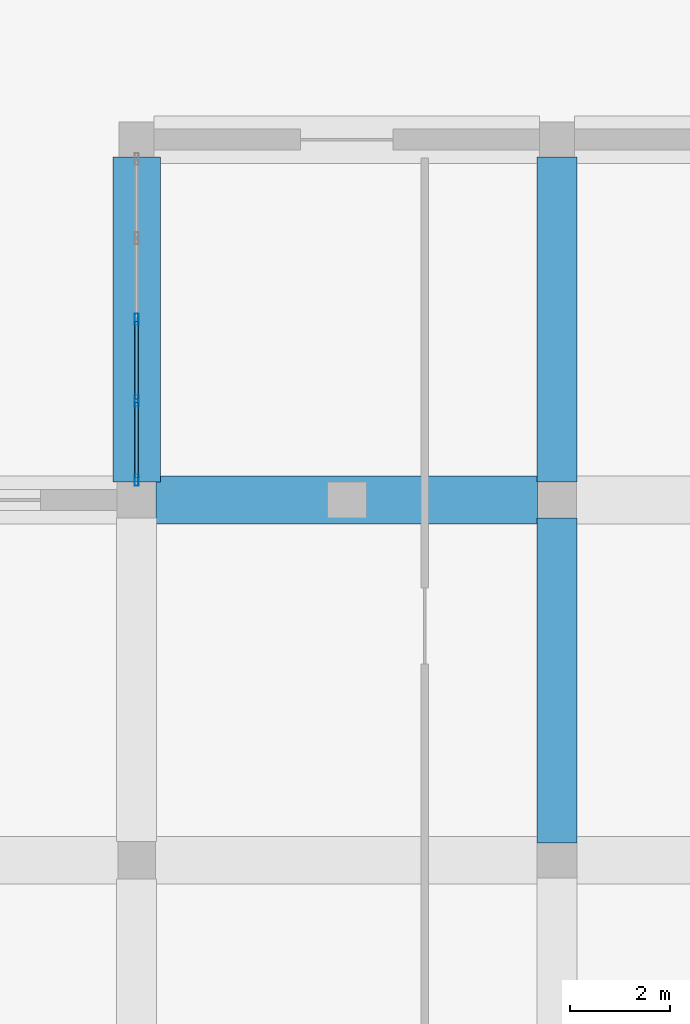
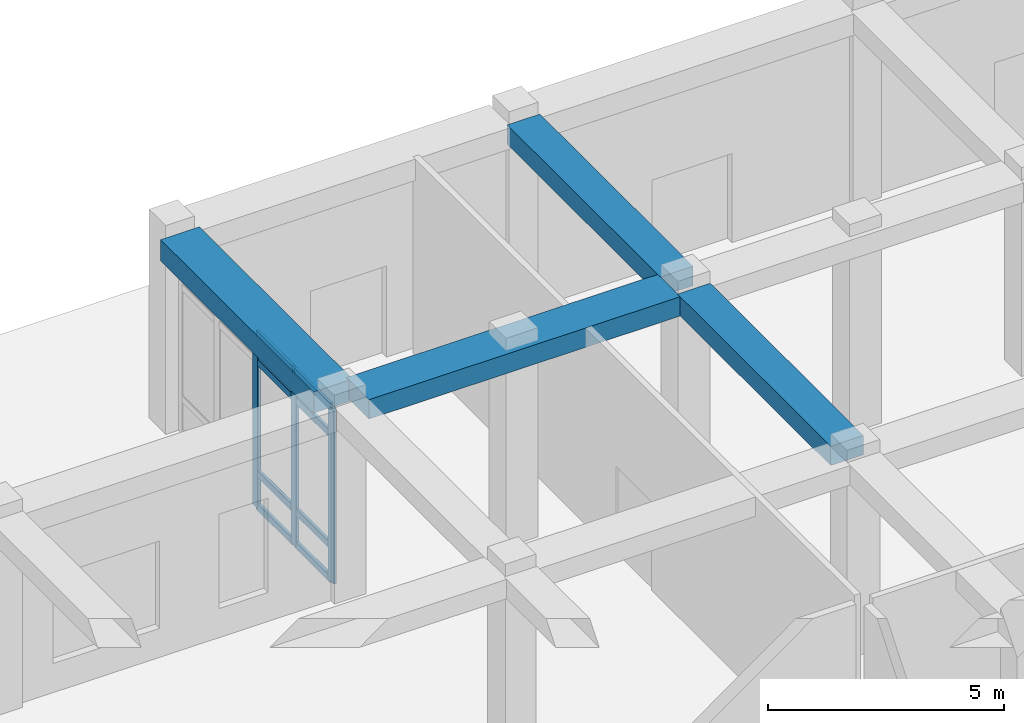
# One storey, part 34 of 84: 11 members, 4 beams, 1 element without a shape of its own.
"""IFC4 building model written with IfcOpenShell, lengths in metres."""

from ifc_helpers import new_model, si_unit, derived_unit, direction, frame, origin, origin_2d, place, context, subcontext, project, spatial, rectangle, hollow_rectangle, extrude, material, material_profile, profile_set, type_object, element, aggregate, save


model = new_model("IFC4")

# Units and contexts
model_context = context("Model", 3, precision=1e-05, world=origin(), true_north=direction((0.0, 1.0)))
body_context = subcontext(model_context, "Body", "Model", "MODEL_VIEW")
ifc_project = project(units=[si_unit("LENGTHUNIT", "METRE"), si_unit("AREAUNIT", "SQUARE_METRE"), si_unit("VOLUMEUNIT", "CUBIC_METRE"), si_unit("PLANEANGLEUNIT", "RADIAN"), si_unit("MASSUNIT", "GRAM", prefix="KILO"), derived_unit("THERMALTRANSMITTANCEUNIT", [(si_unit("POWERUNIT", "WATT"), 1), (si_unit("LENGTHUNIT", "METRE"), -2), (si_unit("THERMODYNAMICTEMPERATUREUNIT", "KELVIN"), -1)])], contexts=[model_context])

# Site, building, storey
site_placement = place(None, origin())
site = spatial("IfcSite", under=ifc_project, at=site_placement, CompositionType="ELEMENT")
building_placement = place(site_placement, origin())
building = spatial("IfcBuilding", under=site, at=building_placement, Name="Veybourne Emporium", CompositionType="ELEMENT")
storey_placement = place(building_placement, origin())
storey = spatial("IfcBuildingStorey", under=building, at=storey_placement, Name="L00", CompositionType="ELEMENT", Elevation=0.0)

# Curtain wall, members
ifc_material_1 = material(Name="Patinated Architectural Bronze", Category="bronze")
curtain_wall_type = type_object("IfcCurtainWallType", Name="CWSystem_CWS-03", PredefinedType="NOTDEFINED", material=ifc_material_1)
curtain_wall_placement = place(storey_placement, origin())
curtain_wall = element("IfcCurtainWall", 1, at=curtain_wall_placement, inside=storey, type_object=curtain_wall_type, Name="L00 bronze glazed curtain wall CWS-03 (030)", PredefinedType="NOTDEFINED")
ifc_material_profile_1 = material_profile(ifc_material_1, hollow_rectangle(XDim=0.077880859375, YDim=0.235107421875, WallThickness=0.0048828125, InnerFilletRadius=0.007568359375, OuterFilletRadius=0.012451171875, at=origin_2d()), Name="CWM 78x235x5")
ifc_profile_set_1 = profile_set([ifc_material_profile_1], Name="Patinated Architectural Bronze")
member_type_1 = type_object("IfcMemberType", Name="CWMullion_CW-M3", PredefinedType="MULLION", material=ifc_profile_set_1)
member_1_placement = place(storey_placement, frame((50.39990234375, 108.39892578125, 0.0), z_axis=(0.0, 0.0, 1.0), x_axis=(-1.0, 0.0, 0.0)))
member_1 = element("IfcMember", 2, at=member_1_placement, type_object=member_type_1, Name="CWS-03 mullion 1", PredefinedType="MULLION", context=body_context, shape_type="SweptSolid", body=[
    extrude(hollow_rectangle(XDim=0.077880859375, YDim=0.235107421875, WallThickness=0.0048828125, InnerFilletRadius=0.007568359375, OuterFilletRadius=0.012451171875, at=origin_2d()), origin(), (0.0, 0.0, 1.0), 4.530029296875),
])
member_2_placement = place(storey_placement, frame((50.39990234375, 109.982421875, 0.0), z_axis=(0.0, 0.0, 1.0), x_axis=(-1.0, 0.0, 0.0)))
member_2 = element("IfcMember", 3, at=member_2_placement, type_object=member_type_1, Name="CWS-03 mullion 2", PredefinedType="MULLION", context=body_context, shape_type="SweptSolid", body=[
    extrude(hollow_rectangle(XDim=0.077880859375, YDim=0.235107421875, WallThickness=0.0048828125, InnerFilletRadius=0.007568359375, OuterFilletRadius=0.012451171875, at=origin_2d()), origin(), (0.0, 0.0, 1.0), 4.530029296875),
])
member_3_placement = place(storey_placement, frame((50.39990234375, 111.60498046875, 0.0), z_axis=(0.0, 0.0, 1.0), x_axis=(-1.0, 0.0, 0.0)))
member_3 = element("IfcMember", 4, at=member_3_placement, type_object=member_type_1, Name="CWS-03 mullion 3", PredefinedType="MULLION", context=body_context, shape_type="SweptSolid", body=[
    extrude(hollow_rectangle(XDim=0.077880859375, YDim=0.235107421875, WallThickness=0.0048828125, InnerFilletRadius=0.007568359375, OuterFilletRadius=0.012451171875, at=origin_2d()), origin(), (0.0, 0.0, 1.0), 4.530029296875),
])
ifc_material_profile_2 = material_profile(ifc_material_1, hollow_rectangle(XDim=0.077880859375, YDim=0.18505859375, WallThickness=0.0048828125, InnerFilletRadius=0.007568359375, OuterFilletRadius=0.012451171875, at=origin_2d()), Name="CWT 78x185x5")
ifc_profile_set_2 = profile_set([ifc_material_profile_2], Name="Patinated Architectural Bronze")
member_type_2 = type_object("IfcMemberType", Name="CWTransom_CW-T3", PredefinedType="NOTDEFINED", material=ifc_profile_set_2)
member_4_placement = place(storey_placement, frame((50.39990234375, 108.43798828125, 0.0390625), z_axis=(0.0, 1.0, 0.0), x_axis=(-1.0, 0.0, 0.0)))
member_4 = element("IfcMember", 5, at=member_4_placement, type_object=member_type_2, Name="CWS-03 transom 1.1", ObjectType="TRANSOM", PredefinedType="USERDEFINED", context=body_context, shape_type="SweptSolid", body=[
    extrude(hollow_rectangle(XDim=0.077880859375, YDim=0.18505859375, WallThickness=0.0048828125, InnerFilletRadius=0.007568359375, OuterFilletRadius=0.012451171875, at=origin_2d()), origin(), (0.0, 0.0, 1.0), 1.505615234375),
])
member_5_placement = place(storey_placement, frame((50.39990234375, 108.43798828125, 0.89990234375), z_axis=(0.0, 1.0, 0.0), x_axis=(-1.0, 0.0, 0.0)))
member_5 = element("IfcMember", 6, at=member_5_placement, type_object=member_type_2, Name="CWS-03 transom 1.2", ObjectType="TRANSOM", PredefinedType="USERDEFINED", context=body_context, shape_type="SweptSolid", body=[
    extrude(hollow_rectangle(XDim=0.077880859375, YDim=0.18505859375, WallThickness=0.0048828125, InnerFilletRadius=0.007568359375, OuterFilletRadius=0.012451171875, at=origin_2d()), origin(), (0.0, 0.0, 1.0), 1.505615234375),
])
member_6_placement = place(storey_placement, frame((50.39990234375, 108.43798828125, 3.780029296875), z_axis=(0.0, 1.0, 0.0), x_axis=(-1.0, 0.0, 0.0)))
member_6 = element("IfcMember", 7, at=member_6_placement, type_object=member_type_2, Name="CWS-03 transom 1.3", ObjectType="TRANSOM", PredefinedType="USERDEFINED", context=body_context, shape_type="SweptSolid", body=[
    extrude(hollow_rectangle(XDim=0.077880859375, YDim=0.18505859375, WallThickness=0.0048828125, InnerFilletRadius=0.007568359375, OuterFilletRadius=0.012451171875, at=origin_2d()), origin(), (0.0, 0.0, 1.0), 1.505615234375),
])
member_7_placement = place(storey_placement, frame((50.39990234375, 108.43798828125, 4.490966796875), z_axis=(0.0, 1.0, 0.0), x_axis=(-1.0, 0.0, 0.0)))
member_7 = element("IfcMember", 8, at=member_7_placement, type_object=member_type_2, Name="CWS-03 transom 1.4", ObjectType="TRANSOM", PredefinedType="USERDEFINED", context=body_context, shape_type="SweptSolid", body=[
    extrude(hollow_rectangle(XDim=0.077880859375, YDim=0.18505859375, WallThickness=0.0048828125, InnerFilletRadius=0.007568359375, OuterFilletRadius=0.012451171875, at=origin_2d()), origin(), (0.0, 0.0, 1.0), 1.505615234375),
])
member_8_placement = place(storey_placement, frame((50.39990234375, 110.021484375, 0.0390625), z_axis=(0.0, 1.0, 0.0), x_axis=(-1.0, 0.0, 0.0)))
member_8 = element("IfcMember", 9, at=member_8_placement, type_object=member_type_2, Name="CWS-03 transom 2.1", ObjectType="TRANSOM", PredefinedType="USERDEFINED", context=body_context, shape_type="SweptSolid", body=[
    extrude(hollow_rectangle(XDim=0.077880859375, YDim=0.18505859375, WallThickness=0.0048828125, InnerFilletRadius=0.007568359375, OuterFilletRadius=0.012451171875, at=origin_2d()), origin(), (0.0, 0.0, 1.0), 1.54443359375),
])
member_9_placement = place(storey_placement, frame((50.39990234375, 110.021484375, 0.89990234375), z_axis=(0.0, 1.0, 0.0), x_axis=(-1.0, 0.0, 0.0)))
member_9 = element("IfcMember", 10, at=member_9_placement, type_object=member_type_2, Name="CWS-03 transom 2.2", ObjectType="TRANSOM", PredefinedType="USERDEFINED", context=body_context, shape_type="SweptSolid", body=[
    extrude(hollow_rectangle(XDim=0.077880859375, YDim=0.18505859375, WallThickness=0.0048828125, InnerFilletRadius=0.007568359375, OuterFilletRadius=0.012451171875, at=origin_2d()), origin(), (0.0, 0.0, 1.0), 1.54443359375),
])
member_10_placement = place(storey_placement, frame((50.39990234375, 110.021484375, 3.780029296875), z_axis=(0.0, 1.0, 0.0), x_axis=(-1.0, 0.0, 0.0)))
member_10 = element("IfcMember", 11, at=member_10_placement, type_object=member_type_2, Name="CWS-03 transom 2.3", ObjectType="TRANSOM", PredefinedType="USERDEFINED", context=body_context, shape_type="SweptSolid", body=[
    extrude(hollow_rectangle(XDim=0.077880859375, YDim=0.18505859375, WallThickness=0.0048828125, InnerFilletRadius=0.007568359375, OuterFilletRadius=0.012451171875, at=origin_2d()), origin(), (0.0, 0.0, 1.0), 1.54443359375),
])
member_11_placement = place(storey_placement, frame((50.39990234375, 110.021484375, 4.490966796875), z_axis=(0.0, 1.0, 0.0), x_axis=(-1.0, 0.0, 0.0)))
member_11 = element("IfcMember", 12, at=member_11_placement, type_object=member_type_2, Name="CWS-03 transom 2.4", ObjectType="TRANSOM", PredefinedType="USERDEFINED", context=body_context, shape_type="SweptSolid", body=[
    extrude(hollow_rectangle(XDim=0.077880859375, YDim=0.18505859375, WallThickness=0.0048828125, InnerFilletRadius=0.007568359375, OuterFilletRadius=0.012451171875, at=origin_2d()), origin(), (0.0, 0.0, 1.0), 1.54443359375),
])
aggregate(curtain_wall, [member_1, member_2, member_3, member_4, member_5, member_6, member_7, member_8, member_9, member_10, member_11])

# Beams
ifc_material_2 = material(Name="Concrete C32/40", Category="concrete")
ifc_material_profile_3 = material_profile(ifc_material_2, rectangle(XDim=0.949951171875, YDim=0.5, at=origin_2d()), Name="RC 950x500")
ifc_profile_set_3 = profile_set([ifc_material_profile_3], Name="Concrete C32/40")
beam_type_1 = type_object("IfcBeamType", Name="RCBeam_BB-01", PredefinedType="BEAM", material=ifc_profile_set_3)
beam_1_placement = place(storey_placement, frame((50.7900390625, 108.0, 4.830078125), z_axis=(1.0, 0.0, 0.0), x_axis=(0.0, 1.0, 0.0)))
element("IfcBeam", 13, at=beam_1_placement, inside=storey, type_object=beam_type_1, Name="L00 X-grid beam BB-01 (6,15)", PredefinedType="BEAM", context=body_context, shape_type="SweptSolid", body=[
    extrude(rectangle(XDim=0.949951171875, YDim=0.5, at=origin_2d()), origin(), (0.0, 0.0, 1.0), 7.619873046875),
])
ifc_material_profile_4 = material_profile(ifc_material_2, rectangle(XDim=0.800048828125, YDim=0.5, at=origin_2d()), Name="RC 800x500")
ifc_profile_set_4 = profile_set([ifc_material_profile_4], Name="Concrete C32/40")
beam_type_2 = type_object("IfcBeamType", Name="RCBeam_BB-02", PredefinedType="BEAM", material=ifc_profile_set_4)
for number, where, z_axis, x_axis, name in (
    (14, (58.800048828125, 101.14990234375, 4.830078125), (0.0, 1.0, 0.0), (-1.0, 0.0, 0.0), "L00 Y-grid beam BB-02 (7,14)"),
    (15, (58.800048828125, 108.360107421875, 4.830078125), (0.0, 1.0, 0.0), (-1.0, 0.0, 0.0), "L00 Y-grid beam BB-02 (7,15)"),
):
    element("IfcBeam", number, at=place(storey_placement, frame(where, z_axis=z_axis, x_axis=x_axis)), inside=storey, type_object=beam_type_2, Name=name, PredefinedType="BEAM", context=body_context, shape_type="SweptSolid", body=[
        extrude(rectangle(XDim=0.800048828125, YDim=0.5, at=origin_2d()), origin(), (0.0, 0.0, 1.0), 6.489990234375),
    ])
ifc_material_profile_5 = material_profile(ifc_material_2, rectangle(XDim=0.949951171875, YDim=0.550048828125, at=origin_2d()), Name="RC 950x550")
ifc_profile_set_5 = profile_set([ifc_material_profile_5], Name="Concrete C32/40")
beam_type_3 = type_object("IfcBeamType", Name="RCBeam_EB-01", PredefinedType="SPANDREL", material=ifc_profile_set_5)
beam_2_placement = place(storey_placement, frame((50.39990234375, 108.360107421875, 4.804931640625), z_axis=(0.0, 1.0, 0.0), x_axis=(-1.0, 0.0, 0.0)))
element("IfcBeam", 16, at=beam_2_placement, inside=storey, type_object=beam_type_3, Name="L00 Y-grid beam EB-01 (6,15)", PredefinedType="SPANDREL", context=body_context, shape_type="SweptSolid", body=[
    extrude(rectangle(XDim=0.949951171875, YDim=0.550048828125, at=origin_2d()), origin(), (0.0, 0.0, 1.0), 6.489990234375),
])

save(model, "model.ifc")
